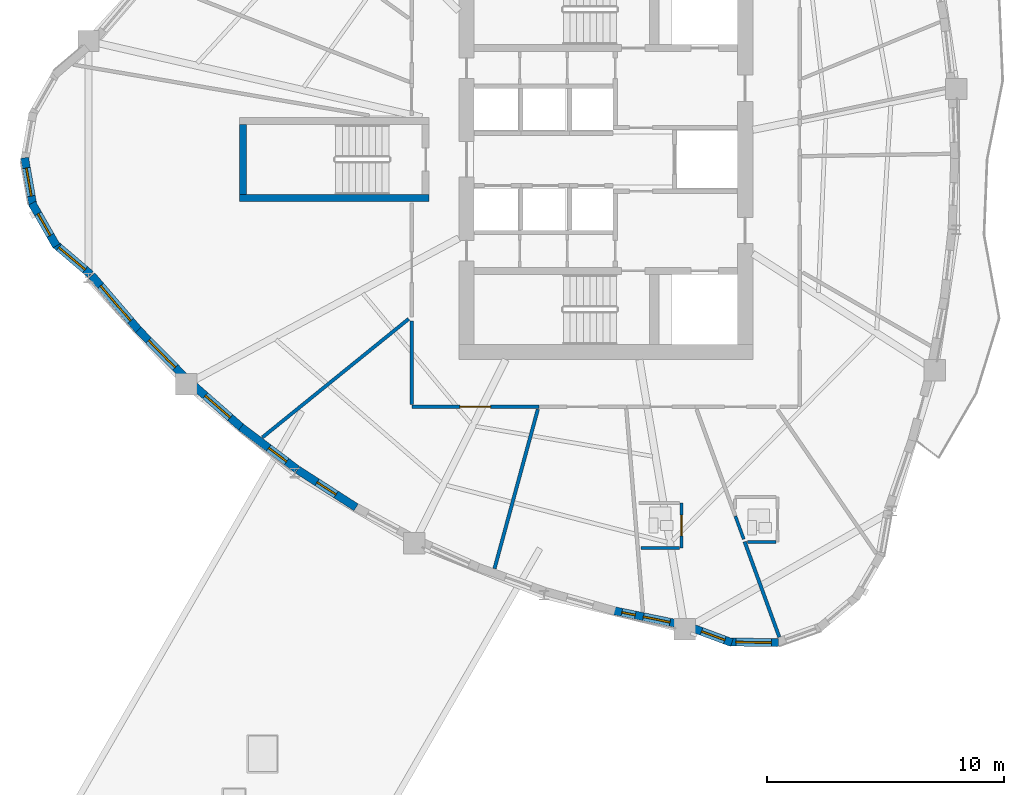
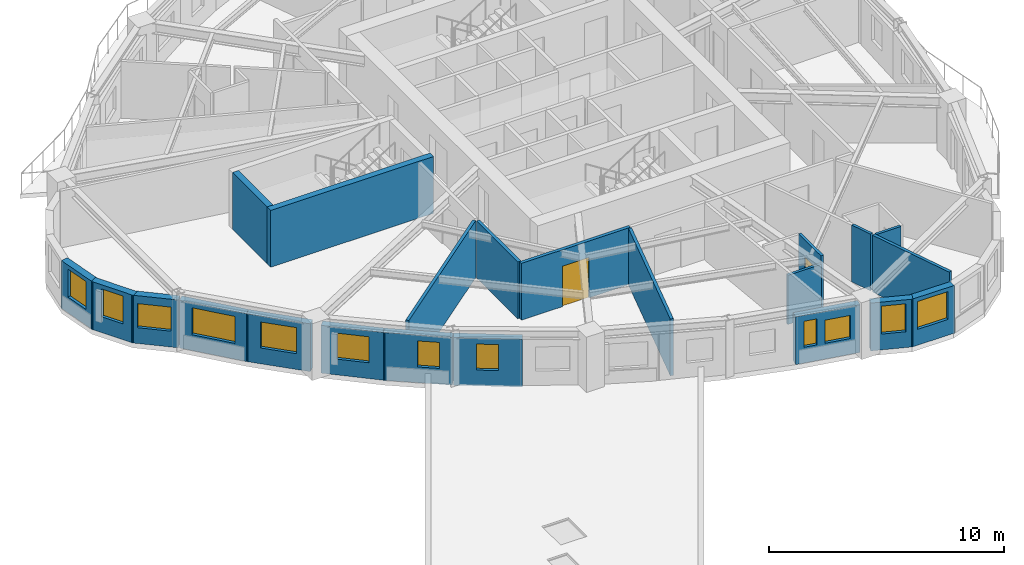
# One storey, part 3 of 14: 22 walls, 12 windows, 2 doors, 14 openings.
"""IFC4 building model written with IfcOpenShell, lengths in metres."""

from ifc_helpers import new_model, si_unit, direction, frame, frame_2d, origin, place, context, subcontext, project, spatial, rectangle, extrude, source, transform, mapped, material, layer, layer_set, type_object, element, fill, save


model = new_model("IFC4")

# Units and contexts
model_context = context("Model", 3, precision=1e-05, world=origin(), true_north=direction((0.0, 1.0)))
body_context = subcontext(model_context, "Body", "Model", "MODEL_VIEW")
ifc_project = project(units=[si_unit("LENGTHUNIT", "METRE"), si_unit("AREAUNIT", "SQUARE_METRE"), si_unit("VOLUMEUNIT", "CUBIC_METRE"), si_unit("PLANEANGLEUNIT", "RADIAN"), si_unit("MASSUNIT", "GRAM", prefix="KILO")], contexts=[model_context])

# Site, building, storey
site_placement = place(None, origin())
site = spatial("IfcSite", under=ifc_project, at=site_placement, CompositionType="ELEMENT")
building_placement = place(site_placement, origin())
building = spatial("IfcBuilding", under=site, at=building_placement, Name="Qafzar Sky-Pleat Residences", CompositionType="ELEMENT")
storey_placement = place(building_placement, frame((0.0, 0.0, 118.39990234375)))
storey = spatial("IfcBuildingStorey", under=building, at=storey_placement, Name="L35", CompositionType="ELEMENT", Elevation=118.39990234375)

# Wall, opening, door
ifc_material_1 = material(Name="Acoustic gypsum plasterboard partition", Category="gypsum")
ifc_layer_1 = layer(ifc_material_1, 0.159912109375)
ifc_layer_set_1 = layer_set([ifc_layer_1], Name="Acoustic gypsum plasterboard partition")
wall_type_1 = type_object("IfcWallType", Name="PART-COR-160", PredefinedType="PARTITIONING", material=ifc_layer_set_1)
wall_1_placement = place(storey_placement, frame((27.530029296875, 15.570068359375, 0.0), z_axis=(0.0, 0.0, 1.0), x_axis=(-1.0, 0.0, 0.0)))
wall_1 = element("IfcWall", 1, at=wall_1_placement, inside=storey, type_object=wall_type_1, Name="L35 Partition Wall PART-L35-PW-003", PredefinedType="PARTITIONING", context=body_context, shape_type="SweptSolid", body=[
    extrude(rectangle(XDim=5.360107421875, YDim=0.159912109375, at=frame_2d((2.68017578125, 0.0))), origin(), (0.0, 0.0, 1.0), 2.9501953125),
])
opening_1_placement = place(wall_1_placement, frame((2.0380859375, 0.0, 0.0)))
opening_1 = element("IfcOpeningElement", 2, at=opening_1_placement, cuts=wall_1, Name="Opening ID-05", PredefinedType="OPENING", context=body_context, shape_type="SweptSolid", body=[
    extrude(rectangle(XDim=1.300048828125, YDim=2.10009765625, at=frame_2d((0.64990234375, 1.050048828125))), frame((0.0, 0.08984375, 0.0), z_axis=(0.0, -1.0, 0.0), x_axis=(1.0, 0.0, 0.0)), (0.0, 0.0, 1.0), 0.179931640625),
])
ifc_material_2 = material(Name="Timber-faced fire door", Category="wood")
door_type_1 = type_object("IfcDoorType", Name="DR-LNG-1300", OperationType="DOUBLE_DOOR_SINGLE_SWING", PredefinedType="DOOR", material=ifc_material_2)
shared_shape_1 = source(origin(), body_context, "Body", "SweptSolid", [
    extrude(rectangle(XDim=1.300048828125, YDim=2.10009765625, at=frame_2d((0.64990234375, 1.050048828125))), frame((0.0, 0.02490234375, 0.0), z_axis=(0.0, -1.0, 0.0), x_axis=(1.0, 0.0, 0.0)), (0.0, 0.0, 1.0), 0.050048828125),
])
door_1_placement = place(opening_1_placement, origin())
door_1 = element("IfcDoor", 3, at=door_1_placement, inside=storey, type_object=door_type_1, Name="L35 Research Conference Room Door", OperationType="DOUBLE_DOOR_SINGLE_SWING", OverallHeight=2.10009765625, OverallWidth=1.300048828125, PredefinedType="DOOR", context=body_context, shape_type="MappedRepresentation", body=[
    mapped(shared_shape_1, transform((0.0, 0.0, 0.0), x_axis=(1.0, 0.0, 0.0), y_axis=(0.0, 1.0, 0.0), z_axis=(0.0, 0.0, 1.0), scale=1.0)),
])
fill(opening_1, door_1)

# Walls
wall_2_placement = place(storey_placement, frame((22.169921875, 15.657958984375, 0.0), z_axis=(0.0, 0.0, 1.0), x_axis=(0.0, 1.0, 0.0)))
element("IfcWall", 4, at=wall_2_placement, inside=storey, type_object=wall_type_1, Name="L35 Partition Wall PART-L35-PW-039", PredefinedType="PARTITIONING", context=body_context, shape_type="SweptSolid", body=[
    extrude(rectangle(XDim=3.52001953125, YDim=0.159912109375, at=frame_2d((1.760009765625, 0.0))), origin(), (0.0, 0.0, 1.0), 2.9501953125),
])
ifc_layer_2 = layer(ifc_material_1, 0.14501953125)
ifc_layer_set_2 = layer_set([ifc_layer_2], Name="Acoustic gypsum plasterboard partition")
wall_type_2 = type_object("IfcWallType", Name="PART-UNIT-145", PredefinedType="PARTITIONING", material=ifc_layer_set_2)
wall_3_placement = place(storey_placement, frame((15.86328125, 14.27197265625, 0.0), z_axis=(0.0, 0.0, 1.0), x_axis=(0.77720694169, 0.629245079273, 0.0)))
element("IfcWall", 5, at=wall_3_placement, inside=storey, type_object=wall_type_2, Name="L35 Partition Wall PART-L35-PW-025", PredefinedType="PARTITIONING", context=body_context, shape_type="SweptSolid", body=[
    extrude(rectangle(XDim=7.94482421875, YDim=0.14501953125, at=frame_2d((3.972412109375, 0.0))), origin(), (0.0, 0.0, 1.0), 2.9501953125),
])
wall_4_placement = place(storey_placement, frame((25.6572265625, 8.739013671875, 0.0), z_axis=(0.0, 0.0, 1.0), x_axis=(0.26231095786, 0.964983399539, 0.0)))
element("IfcWall", 6, at=wall_4_placement, inside=storey, type_object=wall_type_2, Name="L35 Partition Wall PART-L35-PW-027", PredefinedType="PARTITIONING", context=body_context, shape_type="SweptSolid", body=[
    extrude(rectangle(XDim=6.96826171875, YDim=0.14501953125, at=frame_2d((3.484130859375, 0.0))), origin(), (0.0, 0.0, 1.0), 2.9501953125),
])
wall_5_placement = place(storey_placement, frame((36.2080078125, 9.873046875, 0.0), z_axis=(0.0, 0.0, 1.0), x_axis=(0.341362804218, -0.939931612351, 0.0)))
element("IfcWall", 7, at=wall_5_placement, inside=storey, type_object=wall_type_2, Name="L35 Partition Wall PART-L35-PW-036", PredefinedType="PARTITIONING", context=body_context, shape_type="SweptSolid", body=[
    extrude(rectangle(XDim=4.279052734375, YDim=0.14501953125, at=frame_2d((2.1396484375, 0.0))), origin(), (0.0, 0.0, 1.0), 2.9501953125),
])

# Wall, opening, door
ifc_material_3 = material(Name="Moisture-resistant gypsum partition", Category="gypsum")
ifc_layer_3 = layer(ifc_material_3, 0.1298828125)
ifc_layer_set_3 = layer_set([ifc_layer_3], Name="Moisture-resistant gypsum partition")
wall_type_3 = type_object("IfcWallType", Name="PART-WET-130", PredefinedType="PARTITIONING", material=ifc_layer_set_3)
wall_6_placement = place(storey_placement, frame((33.54296875, 9.60791015625, 0.0), z_axis=(0.0, 0.0, 1.0), x_axis=(0.0, 1.0, 0.0)))
wall_6 = element("IfcWall", 8, at=wall_6_placement, inside=storey, type_object=wall_type_3, Name="L35 Partition Wall PART-L35-PW-016", PredefinedType="PARTITIONING", context=body_context, shape_type="SweptSolid", body=[
    extrude(rectangle(XDim=1.900146484375, YDim=0.1298828125, at=frame_2d((0.9501953125, 0.0))), origin(), (0.0, 0.0, 1.0), 2.9501953125),
])
opening_2_placement = place(wall_6_placement, frame((0.510009765625, 0.0, 0.0)))
opening_2 = element("IfcOpeningElement", 9, at=opening_2_placement, cuts=wall_6, Name="Opening ID-07", PredefinedType="OPENING", context=body_context, shape_type="SweptSolid", body=[
    extrude(rectangle(XDim=0.8798828125, YDim=2.050048828125, at=frame_2d((0.43994140625, 1.02490234375))), frame((0.0, 0.074951171875, 0.0), z_axis=(0.0, -1.0, 0.0), x_axis=(1.0, 0.0, 0.0)), (0.0, 0.0, 1.0), 0.14990234375),
])
door_type_2 = type_object("IfcDoorType", Name="DR-WET-880", OperationType="NOTDEFINED", PredefinedType="DOOR", material=ifc_material_2)
shared_shape_2 = source(origin(), body_context, "Body", "SweptSolid", [
    extrude(rectangle(XDim=0.8798828125, YDim=2.050048828125, at=frame_2d((0.43994140625, 1.02490234375))), frame((0.0, 0.02490234375, 0.0), z_axis=(0.0, -1.0, 0.0), x_axis=(1.0, 0.0, 0.0)), (0.0, 0.0, 1.0), 0.050048828125),
])
door_2_placement = place(opening_2_placement, origin())
door_2 = element("IfcDoor", 10, at=door_2_placement, inside=storey, type_object=door_type_2, Name="L35 En-suite Bathroom 3 Door", OperationType="SINGLE_SWING_LEFT", OverallHeight=2.050048828125, OverallWidth=0.8798828125, PredefinedType="DOOR", context=body_context, shape_type="MappedRepresentation", body=[
    mapped(shared_shape_2, transform((0.0, 0.0, 0.0), x_axis=(1.0, 0.0, 0.0), y_axis=(0.0, 1.0, 0.0), z_axis=(0.0, 0.0, 1.0), scale=1.0)),
])
fill(opening_2, door_2)

# Walls
wall_7_placement = place(storey_placement, frame((31.8291015625, 9.60791015625, 0.0), z_axis=(0.0, 0.0, 1.0), x_axis=(1.0, 0.0, 0.0)))
element("IfcWall", 11, at=wall_7_placement, inside=storey, type_object=wall_type_3, Name="L35 Partition Wall PART-L35-PW-044", PredefinedType="PARTITIONING", context=body_context, shape_type="SweptSolid", body=[
    extrude(rectangle(XDim=1.640869140625, YDim=0.1298828125, at=frame_2d((0.8203125, 0.0))), origin(), (0.0, 0.0, 1.0), 2.55810546875),
])
wall_8_placement = place(storey_placement, frame((36.32275390625, 9.85791015625, 0.0), z_axis=(0.0, 0.0, 1.0), x_axis=(1.0, 0.0, 0.0)))
element("IfcWall", 12, at=wall_8_placement, inside=storey, type_object=wall_type_3, Name="L35 Partition Wall PART-L35-PW-049", PredefinedType="PARTITIONING", context=body_context, shape_type="SweptSolid", body=[
    extrude(rectangle(XDim=1.2001953125, YDim=0.1298828125, at=frame_2d((0.60009765625, 0.0))), origin(), (0.0, 0.0, 1.0), 2.9501953125),
])
wall_9_placement = place(storey_placement, frame((35.816162109375, 10.951904296875, 0.0), z_axis=(0.0, 0.0, 1.0), x_axis=(0.341515178303, -0.939876259403, 0.0)))
element("IfcWall", 13, at=wall_9_placement, inside=storey, type_object=wall_type_3, Name="L35 Partition Wall PART-L35-PW-052", PredefinedType="PARTITIONING", context=body_context, shape_type="SweptSolid", body=[
    extrude(rectangle(XDim=1.0322265625, YDim=0.1298828125, at=frame_2d((0.51611328125, 0.0))), origin(), (0.0, 0.0, 1.0), 2.9501953125),
])

# Wall, opening, window
ifc_material_4 = material(Name="Precast concrete C40/50 with honed Riyadh limestone", Category="concrete")
ifc_layer_4 = layer(ifc_material_4, 0.340087890625)
ifc_layer_set_4 = layer_set([ifc_layer_4], Name="Precast concrete C40/50 with honed Riyadh limestone")
wall_type_4 = type_object("IfcWallType", Name="WALL-EXT-340", PredefinedType="SOLIDWALL", material=ifc_layer_set_4)
wall_10_placement = place(storey_placement, frame((5.83544921875, 26.066650390625, 0.0), z_axis=(0.0, 0.0, 1.0), x_axis=(0.172186061474, -0.985064444711, 0.0)))
wall_10 = element("IfcWall", 14, at=wall_10_placement, inside=storey, type_object=wall_type_4, Name="L35 Limestone Facade Wall 4", PredefinedType="SOLIDWALL", context=body_context, shape_type="SweptSolid", body=[
    extrude(rectangle(XDim=2.072998046875, YDim=0.340087890625, at=frame_2d((1.03662109375, 0.0))), origin(), (0.0, 0.0, 1.0), 2.47998046875),
])
opening_3_placement = place(wall_10_placement, frame((0.4365234375, 0.0, 0.820068359375)))
opening_3 = element("IfcOpeningElement", 15, at=opening_3_placement, cuts=wall_10, Name="Opening WN-05", PredefinedType="OPENING", context=body_context, shape_type="SweptSolid", body=[
    extrude(rectangle(XDim=1.199951171875, YDim=1.449951171875, at=frame_2d((0.60009765625, 0.72509765625))), frame((0.0, 0.18017578125, 0.0), z_axis=(0.0, -1.0, 0.0), x_axis=(1.0, 0.0, 0.0)), (0.0, 0.0, 1.0), 0.360107421875),
])
ifc_material_5 = material(Name="Solar-control low-E glass in bronze aluminium frame", Category="glass")
window_type_1 = type_object("IfcWindowType", Name="WIN-05", PartitioningType="SINGLE_PANEL", PredefinedType="WINDOW", material=ifc_material_5)
shared_shape_3 = source(origin(), body_context, "Body", "SweptSolid", [
    extrude(rectangle(XDim=1.199951171875, YDim=1.449951171875, at=frame_2d((0.60009765625, 0.72509765625))), frame((0.0, 0.030029296875, 0.0), z_axis=(0.0, -1.0, 0.0), x_axis=(1.0, 0.0, 0.0)), (0.0, 0.0, 1.0), 0.06005859375),
])
window_1_placement = place(opening_3_placement, origin())
window_1 = element("IfcWindow", 16, at=window_1_placement, inside=storey, type_object=window_type_1, Name="L35 Punched Facade Window 04", OverallHeight=1.449951171875, OverallWidth=1.199951171875, PartitioningType="SINGLE_PANEL", PredefinedType="WINDOW", context=body_context, shape_type="MappedRepresentation", body=[
    mapped(shared_shape_3, transform((0.0, 0.0, 0.0), x_axis=(1.0, 0.0, 0.0), y_axis=(0.0, 1.0, 0.0), z_axis=(0.0, 0.0, 1.0), scale=1.0)),
])
fill(opening_3, window_1)

wall_11_placement = place(storey_placement, frame((6.147216796875, 24.150146484375, 0.0), z_axis=(0.0, 0.0, 1.0), x_axis=(0.495999400124, -0.868322863385, 0.0)))
wall_11 = element("IfcWall", 17, at=wall_11_placement, inside=storey, type_object=wall_type_4, Name="L35 Limestone Facade Wall 5", PredefinedType="SOLIDWALL", context=body_context, shape_type="SweptSolid", body=[
    extrude(rectangle(XDim=2.07275390625, YDim=0.340087890625, at=frame_2d((1.036376953125, 0.0))), origin(), (0.0, 0.0, 1.0), 2.47998046875),
])
opening_4_placement = place(wall_11_placement, frame((0.511474609375, 0.0, 0.820068359375)))
opening_4 = element("IfcOpeningElement", 18, at=opening_4_placement, cuts=wall_11, Name="Opening WN-06", PredefinedType="OPENING", context=body_context, shape_type="SweptSolid", body=[
    extrude(rectangle(XDim=1.050048828125, YDim=1.449951171875, at=frame_2d((0.52490234375, 0.72509765625))), frame((0.0, 0.18017578125, 0.0), z_axis=(0.0, -1.0, 0.0), x_axis=(1.0, 0.0, 0.0)), (0.0, 0.0, 1.0), 0.360107421875),
])
window_type_2 = type_object("IfcWindowType", Name="WIN-06", PartitioningType="SINGLE_PANEL", PredefinedType="WINDOW", material=ifc_material_5)
shared_shape_4 = source(origin(), body_context, "Body", "SweptSolid", [
    extrude(rectangle(XDim=1.050048828125, YDim=1.449951171875, at=frame_2d((0.52490234375, 0.72509765625))), frame((0.0, 0.030029296875, 0.0), z_axis=(0.0, -1.0, 0.0), x_axis=(1.0, 0.0, 0.0)), (0.0, 0.0, 1.0), 0.06005859375),
])
window_2_placement = place(opening_4_placement, origin())
window_2 = element("IfcWindow", 19, at=window_2_placement, inside=storey, type_object=window_type_2, Name="L35 Punched Facade Window 05", OverallHeight=1.449951171875, OverallWidth=1.050048828125, PartitioningType="SINGLE_PANEL", PredefinedType="WINDOW", context=body_context, shape_type="MappedRepresentation", body=[
    mapped(shared_shape_4, transform((0.0, 0.0, 0.0), x_axis=(1.0, 0.0, 0.0), y_axis=(0.0, 1.0, 0.0), z_axis=(0.0, 0.0, 1.0), scale=1.0)),
])
fill(opening_4, window_2)

wall_12_placement = place(storey_placement, frame((7.090087890625, 22.452880859375, 0.0), z_axis=(0.0, 0.0, 1.0), x_axis=(0.761203352049, -0.648513266502, 0.0)))
wall_12 = element("IfcWall", 20, at=wall_12_placement, inside=storey, type_object=wall_type_4, Name="L35 Limestone Facade Wall 6", PredefinedType="SOLIDWALL", context=body_context, shape_type="SweptSolid", body=[
    extrude(rectangle(XDim=2.014892578125, YDim=0.340087890625, at=frame_2d((1.00732421875, 0.0))), origin(), (0.0, 0.0, 1.0), 2.47998046875),
])
opening_5_placement = place(wall_12_placement, frame((0.25244140625, 0.0, 0.820068359375)))
opening_5 = element("IfcOpeningElement", 21, at=opening_5_placement, cuts=wall_12, Name="Opening WN-15", PredefinedType="OPENING", context=body_context, shape_type="SweptSolid", body=[
    extrude(rectangle(XDim=1.449951171875, YDim=1.25, at=frame_2d((0.72509765625, 0.625))), frame((0.0, 0.18017578125, 0.0), z_axis=(0.0, -1.0, 0.0), x_axis=(1.0, 0.0, 0.0)), (0.0, 0.0, 1.0), 0.360107421875),
])
window_type_3 = type_object("IfcWindowType", Name="WIN-15", PartitioningType="SINGLE_PANEL", PredefinedType="WINDOW", material=ifc_material_5)
shared_shape_5 = source(origin(), body_context, "Body", "SweptSolid", [
    extrude(rectangle(XDim=1.449951171875, YDim=1.25, at=frame_2d((0.72509765625, 0.625))), frame((0.0, 0.030029296875, 0.0), z_axis=(0.0, -1.0, 0.0), x_axis=(1.0, 0.0, 0.0)), (0.0, 0.0, 1.0), 0.06005859375),
])
window_3_placement = place(opening_5_placement, origin())
window_3 = element("IfcWindow", 22, at=window_3_placement, inside=storey, type_object=window_type_3, Name="L35 Punched Facade Window 06", OverallHeight=1.25, OverallWidth=1.449951171875, PartitioningType="SINGLE_PANEL", PredefinedType="WINDOW", context=body_context, shape_type="MappedRepresentation", body=[
    mapped(shared_shape_5, transform((0.0, 0.0, 0.0), x_axis=(1.0, 0.0, 0.0), y_axis=(0.0, 1.0, 0.0), z_axis=(0.0, 0.0, 1.0), scale=1.0)),
])
fill(opening_5, window_3)

wall_13_placement = place(storey_placement, frame((8.6708984375, 21.09912109375, 0.0), z_axis=(0.0, 0.0, 1.0), x_axis=(0.65073305839, -0.759306582823, 0.0)))
wall_13 = element("IfcWall", 23, at=wall_13_placement, inside=storey, type_object=wall_type_4, Name="L35 Limestone Facade Wall 7", PredefinedType="SOLIDWALL", context=body_context, shape_type="SweptSolid", body=[
    extrude(rectangle(XDim=3.10302734375, YDim=0.340087890625, at=frame_2d((1.551513671875, 0.0))), origin(), (0.0, 0.0, 1.0), 2.47998046875),
])
opening_6_placement = place(wall_13_placement, frame((0.566650390625, 0.0, 0.820068359375)))
opening_6 = element("IfcOpeningElement", 24, at=opening_6_placement, cuts=wall_13, Name="Opening WN-08", PredefinedType="OPENING", context=body_context, shape_type="SweptSolid", body=[
    extrude(rectangle(XDim=1.949951171875, YDim=1.39990234375, at=frame_2d((0.97509765625, 0.699951171875))), frame((0.0, 0.18017578125, 0.0), z_axis=(0.0, -1.0, 0.0), x_axis=(1.0, 0.0, 0.0)), (0.0, 0.0, 1.0), 0.360107421875),
])
window_type_4 = type_object("IfcWindowType", Name="WIN-08", PartitioningType="DOUBLE_PANEL_VERTICAL", PredefinedType="WINDOW", material=ifc_material_5)
shared_shape_6 = source(origin(), body_context, "Body", "SweptSolid", [
    extrude(rectangle(XDim=1.949951171875, YDim=1.39990234375, at=frame_2d((0.97509765625, 0.699951171875))), frame((0.0, 0.030029296875, 0.0), z_axis=(0.0, -1.0, 0.0), x_axis=(1.0, 0.0, 0.0)), (0.0, 0.0, 1.0), 0.06005859375),
])
window_4_placement = place(opening_6_placement, origin())
window_4 = element("IfcWindow", 25, at=window_4_placement, inside=storey, type_object=window_type_4, Name="L35 Punched Facade Window 07", OverallHeight=1.39990234375, OverallWidth=1.949951171875, PartitioningType="SINGLE_PANEL", PredefinedType="WINDOW", context=body_context, shape_type="MappedRepresentation", body=[
    mapped(shared_shape_6, transform((0.0, 0.0, 0.0), x_axis=(1.0, 0.0, 0.0), y_axis=(0.0, 1.0, 0.0), z_axis=(0.0, 0.0, 1.0), scale=1.0)),
])
fill(opening_6, window_4)

wall_14_placement = place(storey_placement, frame((10.630859375, 18.807373046875, 0.0), z_axis=(0.0, 0.0, 1.0), x_axis=(0.701909586733, -0.712266054261, 0.0)))
wall_14 = element("IfcWall", 26, at=wall_14_placement, inside=storey, type_object=wall_type_4, Name="L35 Limestone Facade Wall 8", PredefinedType="SOLIDWALL", context=body_context, shape_type="SweptSolid", body=[
    extrude(rectangle(XDim=2.828857421875, YDim=0.340087890625, at=frame_2d((1.41455078125, 0.0))), origin(), (0.0, 0.0, 1.0), 2.47998046875),
])
opening_7_placement = place(wall_14_placement, frame((0.619384765625, 0.0, 0.820068359375)))
opening_7 = element("IfcOpeningElement", 27, at=opening_7_placement, cuts=wall_14, Name="Opening WN-09", PredefinedType="OPENING", context=body_context, shape_type="SweptSolid", body=[
    extrude(rectangle(XDim=1.60009765625, YDim=1.35009765625, at=frame_2d((0.800048828125, 0.675048828125))), frame((0.0, 0.18017578125, 0.0), z_axis=(0.0, -1.0, 0.0), x_axis=(1.0, 0.0, 0.0)), (0.0, 0.0, 1.0), 0.360107421875),
])
window_type_5 = type_object("IfcWindowType", Name="WIN-09", PartitioningType="DOUBLE_PANEL_VERTICAL", PredefinedType="WINDOW", material=ifc_material_5)
shared_shape_7 = source(origin(), body_context, "Body", "SweptSolid", [
    extrude(rectangle(XDim=1.60009765625, YDim=1.35009765625, at=frame_2d((0.800048828125, 0.675048828125))), frame((0.0, 0.030029296875, 0.0), z_axis=(0.0, -1.0, 0.0), x_axis=(1.0, 0.0, 0.0)), (0.0, 0.0, 1.0), 0.06005859375),
])
window_5_placement = place(opening_7_placement, origin())
window_5 = element("IfcWindow", 28, at=window_5_placement, inside=storey, type_object=window_type_5, Name="L35 Punched Facade Window 08", OverallHeight=1.35009765625, OverallWidth=1.60009765625, PartitioningType="SINGLE_PANEL", PredefinedType="WINDOW", context=body_context, shape_type="MappedRepresentation", body=[
    mapped(shared_shape_7, transform((0.0, 0.0, 0.0), x_axis=(1.0, 0.0, 0.0), y_axis=(0.0, 1.0, 0.0), z_axis=(0.0, 0.0, 1.0), scale=1.0)),
])
fill(opening_7, window_5)

wall_15_placement = place(storey_placement, frame((12.94189453125, 16.4853515625, 0.0), z_axis=(0.0, 0.0, 1.0), x_axis=(0.751427478967, -0.659815689305, 0.0)))
wall_15 = element("IfcWall", 29, at=wall_15_placement, inside=storey, type_object=wall_type_4, Name="L35 Limestone Facade Wall 9", PredefinedType="SOLIDWALL", context=body_context, shape_type="SweptSolid", body=[
    extrude(rectangle(XDim=2.779541015625, YDim=0.340087890625, at=frame_2d((1.3896484375, 0.0))), origin(), (0.0, 0.0, 1.0), 2.47998046875),
])
opening_8_placement = place(wall_15_placement, frame((0.684814453125, 0.0, 0.820068359375)))
opening_8 = element("IfcOpeningElement", 30, at=opening_8_placement, cuts=wall_15, Name="Opening WN-10", PredefinedType="OPENING", context=body_context, shape_type="SweptSolid", body=[
    extrude(rectangle(XDim=1.39990234375, YDim=1.35009765625, at=frame_2d((0.699951171875, 0.675048828125))), frame((0.0, 0.18017578125, 0.0), z_axis=(0.0, -1.0, 0.0), x_axis=(1.0, 0.0, 0.0)), (0.0, 0.0, 1.0), 0.360107421875),
])
window_type_6 = type_object("IfcWindowType", Name="WIN-10", PartitioningType="SINGLE_PANEL", PredefinedType="WINDOW", material=ifc_material_5)
shared_shape_8 = source(origin(), body_context, "Body", "SweptSolid", [
    extrude(rectangle(XDim=1.39990234375, YDim=1.35009765625, at=frame_2d((0.699951171875, 0.675048828125))), frame((0.0, 0.030029296875, 0.0), z_axis=(0.0, -1.0, 0.0), x_axis=(1.0, 0.0, 0.0)), (0.0, 0.0, 1.0), 0.06005859375),
])
window_6_placement = place(opening_8_placement, origin())
window_6 = element("IfcWindow", 31, at=window_6_placement, inside=storey, type_object=window_type_6, Name="L35 Punched Facade Window 09", OverallHeight=1.35009765625, OverallWidth=1.39990234375, PartitioningType="SINGLE_PANEL", PredefinedType="WINDOW", context=body_context, shape_type="MappedRepresentation", body=[
    mapped(shared_shape_8, transform((0.0, 0.0, 0.0), x_axis=(1.0, 0.0, 0.0), y_axis=(0.0, 1.0, 0.0), z_axis=(0.0, 0.0, 1.0), scale=1.0)),
])
fill(opening_8, window_6)

wall_16_placement = place(storey_placement, frame((14.9619140625, 14.707275390625, 0.0), z_axis=(0.0, 0.0, 1.0), x_axis=(0.798341968257, -0.602204368732, 0.0)))
wall_16 = element("IfcWall", 32, at=wall_16_placement, inside=storey, type_object=wall_type_4, Name="L35 Limestone Facade Wall 10", PredefinedType="SOLIDWALL", context=body_context, shape_type="SweptSolid", body=[
    extrude(rectangle(XDim=2.956298828125, YDim=0.340087890625, at=frame_2d((1.47802734375, 0.0))), origin(), (0.0, 0.0, 1.0), 2.47998046875),
])
opening_9_placement = place(wall_16_placement, frame((1.459716796875, 0.0, 0.820068359375)))
opening_9 = element("IfcOpeningElement", 33, at=opening_9_placement, cuts=wall_16, Name="Opening WN-12", PredefinedType="OPENING", context=body_context, shape_type="SweptSolid", body=[
    extrude(rectangle(XDim=0.949951171875, YDim=1.35009765625, at=frame_2d((0.47509765625, 0.675048828125))), frame((0.0, 0.18017578125, 0.0), z_axis=(0.0, -1.0, 0.0), x_axis=(1.0, 0.0, 0.0)), (0.0, 0.0, 1.0), 0.360107421875),
])
window_type_7 = type_object("IfcWindowType", Name="WIN-12", PartitioningType="SINGLE_PANEL", PredefinedType="WINDOW", material=ifc_material_5)
shared_shape_9 = source(origin(), body_context, "Body", "SweptSolid", [
    extrude(rectangle(XDim=0.949951171875, YDim=1.35009765625, at=frame_2d((0.47509765625, 0.675048828125))), frame((0.0, 0.030029296875, 0.0), z_axis=(0.0, -1.0, 0.0), x_axis=(1.0, 0.0, 0.0)), (0.0, 0.0, 1.0), 0.06005859375),
])
window_7_placement = place(opening_9_placement, origin())
window_7 = element("IfcWindow", 34, at=window_7_placement, inside=storey, type_object=window_type_7, Name="L35 Punched Facade Window 10-2", OverallHeight=1.35009765625, OverallWidth=0.949951171875, PartitioningType="SINGLE_PANEL", PredefinedType="WINDOW", context=body_context, shape_type="MappedRepresentation", body=[
    mapped(shared_shape_9, transform((0.0, 0.0, 0.0), x_axis=(1.0, 0.0, 0.0), y_axis=(0.0, 1.0, 0.0), z_axis=(0.0, 0.0, 1.0), scale=1.0)),
])
fill(opening_9, window_7)

wall_17_placement = place(storey_placement, frame((17.34423828125, 12.91162109375, 0.0), z_axis=(0.0, 0.0, 1.0), x_axis=(0.841496750769, -0.540262175657, 0.0)))
wall_17 = element("IfcWall", 35, at=wall_17_placement, inside=storey, type_object=wall_type_4, Name="L35 Limestone Facade Wall 11", PredefinedType="SOLIDWALL", context=body_context, shape_type="SweptSolid", body=[
    extrude(rectangle(XDim=2.939453125, YDim=0.340087890625, at=frame_2d((1.4697265625, 0.0))), origin(), (0.0, 0.0, 1.0), 2.47998046875),
])
opening_10_placement = place(wall_17_placement, frame((0.984619140625, 0.0, 0.820068359375)))
opening_10 = element("IfcOpeningElement", 36, at=opening_10_placement, cuts=wall_17, Name="Opening WN-12", PredefinedType="OPENING", context=body_context, shape_type="SweptSolid", body=[
    extrude(rectangle(XDim=0.949951171875, YDim=1.35009765625, at=frame_2d((0.47509765625, 0.675048828125))), frame((0.0, 0.18017578125, 0.0), z_axis=(0.0, -1.0, 0.0), x_axis=(1.0, 0.0, 0.0)), (0.0, 0.0, 1.0), 0.360107421875),
])
window_8_placement = place(opening_10_placement, origin())
window_8 = element("IfcWindow", 37, at=window_8_placement, inside=storey, type_object=window_type_7, Name="L35 Punched Facade Window 11", OverallHeight=1.35009765625, OverallWidth=0.949951171875, PartitioningType="SINGLE_PANEL", PredefinedType="WINDOW", context=body_context, shape_type="MappedRepresentation", body=[
    mapped(shared_shape_9, transform((0.0, 0.0, 0.0), x_axis=(1.0, 0.0, 0.0), y_axis=(0.0, 1.0, 0.0), z_axis=(0.0, 0.0, 1.0), scale=1.0)),
])
fill(opening_10, window_8)

# Wall, openings, windows
wall_18_placement = place(storey_placement, frame((30.65185546875, 6.97314453125, 0.0), z_axis=(0.0, 0.0, 1.0), x_axis=(0.979418300652, -0.201841007595, 0.0)))
wall_18 = element("IfcWall", 38, at=wall_18_placement, inside=storey, type_object=wall_type_4, Name="L35 Limestone Facade Wall 16", PredefinedType="SOLIDWALL", context=body_context, shape_type="SweptSolid", body=[
    extrude(rectangle(XDim=2.893310546875, YDim=0.340087890625, at=frame_2d((1.44677734375, 0.0))), origin(), (0.0, 0.0, 1.0), 2.47998046875),
])
opening_11_placement = place(wall_18_placement, frame((0.383056640625, 0.0, 0.820068359375)))
opening_11 = element("IfcOpeningElement", 39, at=opening_11_placement, cuts=wall_18, Name="Opening WN-17", PredefinedType="OPENING", context=body_context, shape_type="SweptSolid", body=[
    extrude(rectangle(XDim=0.580078125, YDim=1.35009765625, at=frame_2d((0.2900390625, 0.675048828125))), frame((0.0, 0.18017578125, 0.0), z_axis=(0.0, -1.0, 0.0), x_axis=(1.0, 0.0, 0.0)), (0.0, 0.0, 1.0), 0.360107421875),
])
opening_12_placement = place(wall_18_placement, frame((1.309814453125, 0.0, 0.820068359375)))
opening_12 = element("IfcOpeningElement", 40, at=opening_12_placement, cuts=wall_18, Name="Opening WN-16", PredefinedType="OPENING", context=body_context, shape_type="SweptSolid", body=[
    extrude(rectangle(XDim=1.14990234375, YDim=1.199951171875, at=frame_2d((0.574951171875, 0.60009765625))), frame((0.0, 0.18017578125, 0.0), z_axis=(0.0, -1.0, 0.0), x_axis=(1.0, 0.0, 0.0)), (0.0, 0.0, 1.0), 0.360107421875),
])
window_type_8 = type_object("IfcWindowType", Name="WIN-17", PartitioningType="SINGLE_PANEL", PredefinedType="WINDOW", material=ifc_material_5)
shared_shape_10 = source(origin(), body_context, "Body", "SweptSolid", [
    extrude(rectangle(XDim=0.580078125, YDim=1.35009765625, at=frame_2d((0.2900390625, 0.675048828125))), frame((0.0, 0.030029296875, 0.0), z_axis=(0.0, -1.0, 0.0), x_axis=(1.0, 0.0, 0.0)), (0.0, 0.0, 1.0), 0.06005859375),
])
window_9_placement = place(opening_11_placement, origin())
window_9 = element("IfcWindow", 41, at=window_9_placement, inside=storey, type_object=window_type_8, Name="L35 Punched Facade Window 16", OverallHeight=1.35009765625, OverallWidth=0.580078125, PartitioningType="SINGLE_PANEL", PredefinedType="WINDOW", context=body_context, shape_type="MappedRepresentation", body=[
    mapped(shared_shape_10, transform((0.0, 0.0, 0.0), x_axis=(1.0, 0.0, 0.0), y_axis=(0.0, 1.0, 0.0), z_axis=(0.0, 0.0, 1.0), scale=1.0)),
])
fill(opening_11, window_9)
window_type_9 = type_object("IfcWindowType", Name="WIN-16", PartitioningType="SINGLE_PANEL", PredefinedType="WINDOW", material=ifc_material_5)
shared_shape_11 = source(origin(), body_context, "Body", "SweptSolid", [
    extrude(rectangle(XDim=1.14990234375, YDim=1.199951171875, at=frame_2d((0.574951171875, 0.60009765625))), frame((0.0, 0.030029296875, 0.0), z_axis=(0.0, -1.0, 0.0), x_axis=(1.0, 0.0, 0.0)), (0.0, 0.0, 1.0), 0.06005859375),
])
window_10_placement = place(opening_12_placement, origin())
window_10 = element("IfcWindow", 42, at=window_10_placement, inside=storey, type_object=window_type_9, Name="L35 Punched Facade Window 16-2", OverallHeight=1.199951171875, OverallWidth=1.14990234375, PartitioningType="SINGLE_PANEL", PredefinedType="WINDOW", context=body_context, shape_type="MappedRepresentation", body=[
    mapped(shared_shape_11, transform((0.0, 0.0, 0.0), x_axis=(1.0, 0.0, 0.0), y_axis=(0.0, 1.0, 0.0), z_axis=(0.0, 0.0, 1.0), scale=1.0)),
])
fill(opening_12, window_10)

# Wall, opening, window
wall_19_placement = place(storey_placement, frame((33.95166015625, 6.2548828125, 0.0), z_axis=(0.0, 0.0, 1.0), x_axis=(0.936799566991, -0.349866504951, 0.0)))
wall_19 = element("IfcWall", 43, at=wall_19_placement, inside=storey, type_object=wall_type_4, Name="L35 Limestone Facade Wall 17", PredefinedType="SOLIDWALL", context=body_context, shape_type="SweptSolid", body=[
    extrude(rectangle(XDim=1.8310546875, YDim=0.340087890625, at=frame_2d((0.91552734375, 0.0))), origin(), (0.0, 0.0, 1.0), 2.47998046875),
])
opening_13_placement = place(wall_19_placement, frame((0.465576171875, 0.0, 0.820068359375)))
opening_13 = element("IfcOpeningElement", 44, at=opening_13_placement, cuts=wall_19, Name="Opening WN-06", PredefinedType="OPENING", context=body_context, shape_type="SweptSolid", body=[
    extrude(rectangle(XDim=1.050048828125, YDim=1.449951171875, at=frame_2d((0.52490234375, 0.72509765625))), frame((0.0, 0.18017578125, 0.0), z_axis=(0.0, -1.0, 0.0), x_axis=(1.0, 0.0, 0.0)), (0.0, 0.0, 1.0), 0.360107421875),
])
window_11_placement = place(opening_13_placement, origin())
window_11 = element("IfcWindow", 45, at=window_11_placement, inside=storey, type_object=window_type_2, Name="L35 Punched Facade Window 17", OverallHeight=1.449951171875, OverallWidth=1.050048828125, PartitioningType="SINGLE_PANEL", PredefinedType="WINDOW", context=body_context, shape_type="MappedRepresentation", body=[
    mapped(shared_shape_4, transform((0.0, 0.0, 0.0), x_axis=(1.0, 0.0, 0.0), y_axis=(0.0, 1.0, 0.0), z_axis=(0.0, 0.0, 1.0), scale=1.0)),
])
fill(opening_13, window_11)

wall_20_placement = place(storey_placement, frame((35.534912109375, 5.638671875, 0.0), z_axis=(0.0, 0.0, 1.0), x_axis=(0.999976456891, -0.00686189939, 0.0)))
wall_20 = element("IfcWall", 46, at=wall_20_placement, inside=storey, type_object=wall_type_4, Name="L35 Limestone Facade Wall 18", PredefinedType="SOLIDWALL", context=body_context, shape_type="SweptSolid", body=[
    extrude(rectangle(XDim=2.09912109375, YDim=0.340087890625, at=frame_2d((1.049560546875, 0.0))), origin(), (0.0, 0.0, 1.0), 2.47998046875),
])
opening_14_placement = place(wall_20_placement, frame((0.299560546875, 0.0, 0.820068359375)))
opening_14 = element("IfcOpeningElement", 47, at=opening_14_placement, cuts=wall_20, Name="Opening WN-03", PredefinedType="OPENING", context=body_context, shape_type="SweptSolid", body=[
    extrude(rectangle(XDim=1.5, YDim=1.449951171875, at=frame_2d((0.75, 0.72509765625))), frame((0.0, 0.18017578125, 0.0), z_axis=(0.0, -1.0, 0.0), x_axis=(1.0, 0.0, 0.0)), (0.0, 0.0, 1.0), 0.360107421875),
])
window_type_10 = type_object("IfcWindowType", Name="WIN-03", PartitioningType="DOUBLE_PANEL_VERTICAL", PredefinedType="WINDOW", material=ifc_material_5)
shared_shape_12 = source(origin(), body_context, "Body", "SweptSolid", [
    extrude(rectangle(XDim=1.5, YDim=1.449951171875, at=frame_2d((0.75, 0.72509765625))), frame((0.0, 0.030029296875, 0.0), z_axis=(0.0, -1.0, 0.0), x_axis=(1.0, 0.0, 0.0)), (0.0, 0.0, 1.0), 0.06005859375),
])
window_12_placement = place(opening_14_placement, origin())
window_12 = element("IfcWindow", 48, at=window_12_placement, inside=storey, type_object=window_type_10, Name="L35 Punched Facade Window 18", OverallHeight=1.449951171875, OverallWidth=1.5, PartitioningType="SINGLE_PANEL", PredefinedType="WINDOW", context=body_context, shape_type="MappedRepresentation", body=[
    mapped(shared_shape_12, transform((0.0, 0.0, 0.0), x_axis=(1.0, 0.0, 0.0), y_axis=(0.0, 1.0, 0.0), z_axis=(0.0, 0.0, 1.0), scale=1.0)),
])
fill(opening_14, window_12)

# Walls
ifc_material_6 = material(Name="Concrete C60/75", Category="concrete")
ifc_layer_5 = layer(ifc_material_6, 0.300048828125)
ifc_layer_set_5 = layer_set([ifc_layer_5], Name="Concrete C60/75")
wall_type_5 = type_object("IfcWallType", Name="WALL-SHEAR-300", PredefinedType="SHEAR", material=ifc_layer_set_5)
wall_21_placement = place(storey_placement, frame((14.89990234375, 24.375, 0.0), z_axis=(0.0, 0.0, 1.0), x_axis=(1.0, 0.0, 0.0)))
element("IfcWall", 49, at=wall_21_placement, inside=storey, type_object=wall_type_5, Name="L35 ST3 wall S", PredefinedType="SHEAR", context=body_context, shape_type="SweptSolid", body=[
    extrude(rectangle(XDim=8.0, YDim=0.300048828125, at=frame_2d((4.0, 0.0))), origin(), (0.0, 0.0, 1.0), 2.9501953125),
])
wall_22_placement = place(storey_placement, frame((15.050048828125, 27.47509765625, 0.0), z_axis=(0.0, 0.0, 1.0), x_axis=(0.0, -1.0, 0.0)))
element("IfcWall", 50, at=wall_22_placement, inside=storey, type_object=wall_type_5, Name="L35 ST3 wall W", PredefinedType="SHEAR", context=body_context, shape_type="SweptSolid", body=[
    extrude(rectangle(XDim=2.9501953125, YDim=0.300048828125, at=frame_2d((1.47509765625, 0.0))), origin(), (0.0, 0.0, 1.0), 2.9501953125),
])

save(model, "model.ifc")
